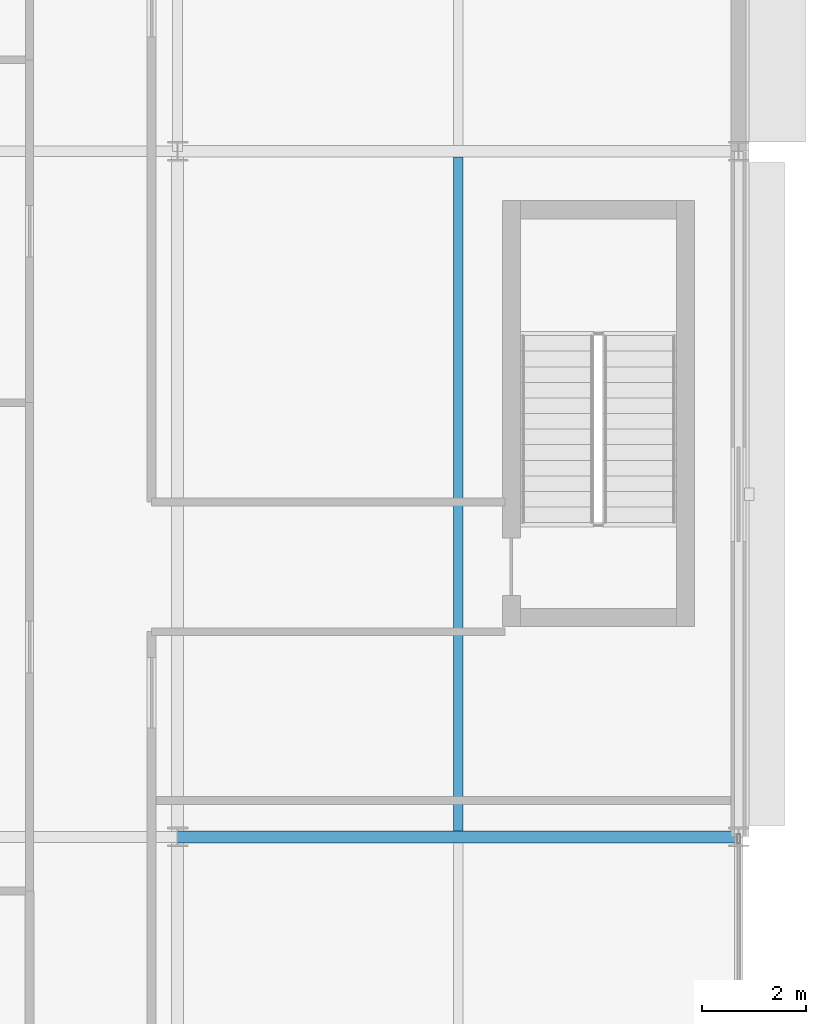
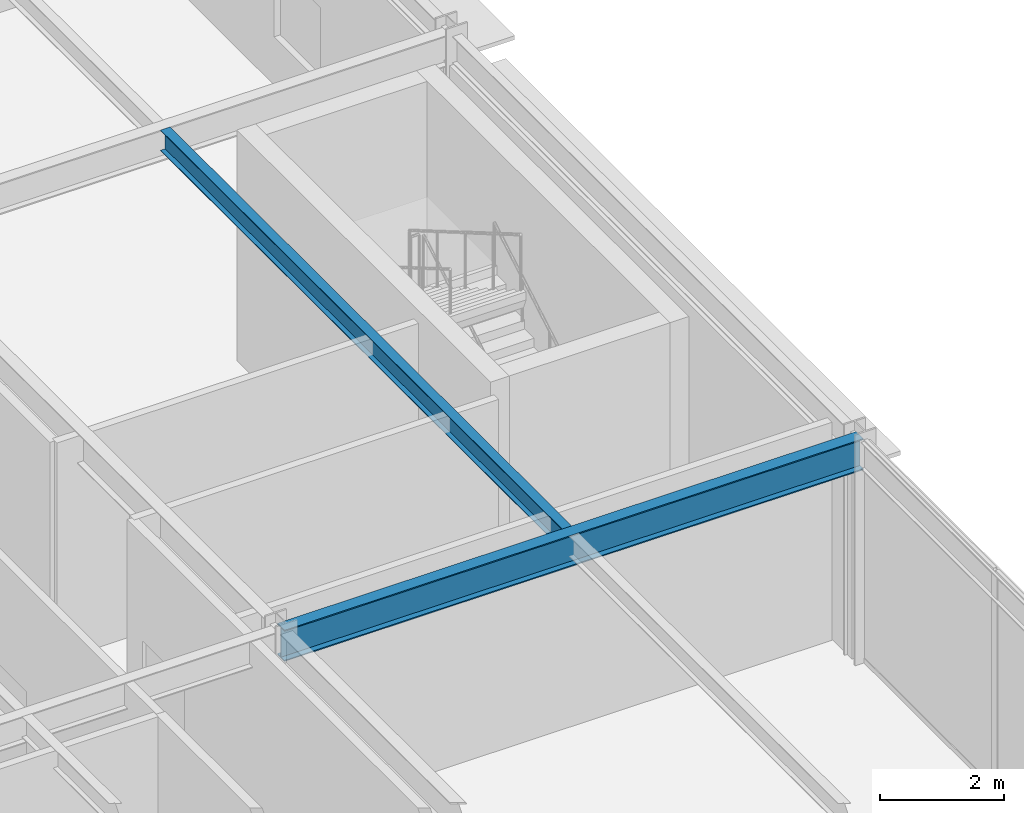
# One storey, part 93 of 133: 2 beams.
"""IFC4 building model written with IfcOpenShell, lengths in metres."""

import ifcopenshell
import ifcopenshell.guid

model = None  # the IFC model being written
_history = None  # IfcOwnerHistory: only IFC2X3 demands one
_inside = {}  # id of a spatial element -> (the spatial element, [elements in it])
_under = {}  # id of a project, library or spatial element -> (it, [spatial elements below it])
_declared = {}  # id of a project -> (the project, [libraries it declares])
_typed = {}  # id of a type object -> (the type object, [elements of that type])
_made_of = {}  # id of a material, layer set ... -> (it, [elements and type objects made of it])


def new_model(schema):
    """Start an empty IFC model of exactly this schema.

    Asked for "IFC4X3", IfcOpenShell would pick the latest addendum, in which some entities
    have other attributes; the version numbers below select the first issue.
    IFC2X3 requires an IfcOwnerHistory on every rooted entity: one is made here for all.
    """
    global model, _history
    if schema == "IFC4X3":
        model = ifcopenshell.file(schema_version=(4, 3, 0, 0))
    else:
        model = ifcopenshell.file(schema=schema)
    _inside.clear()
    _under.clear()
    _declared.clear()
    _typed.clear()
    _made_of.clear()
    _history = None
    if model.schema == "IFC2X3":
        org = make("IfcOrganization", Name="unknown")
        user = make(
            "IfcPersonAndOrganization",
            ThePerson=make("IfcPerson", FamilyName="unknown"),
            TheOrganization=org,
        )
        app = make(
            "IfcApplication",
            ApplicationDeveloper=org,
            Version="unknown",
            ApplicationFullName="unknown",
            ApplicationIdentifier="unknown",
        )
        _history = make(
            "IfcOwnerHistory",
            OwningUser=user,
            OwningApplication=app,
            ChangeAction="ADDED",
            CreationDate=0,
        )
    return model


def make(cls, **values):
    """One entity of the class cls with the attributes given. An attribute that is None is left unset."""
    return model.create_entity(
        cls, **{name: value for name, value in values.items() if value is not None}
    )


def rooted(cls, **values):
    """An entity with a GlobalId (a new one), such as an element, a storey or a relation."""
    return make(cls, GlobalId=ifcopenshell.guid.new(), OwnerHistory=_history, **values)


def si_unit(unit_type, name, prefix=None):
    """IfcSIUnit, for example si_unit("LENGTHUNIT", "METRE", prefix="MILLI")."""
    return make("IfcSIUnit", UnitType=unit_type, Prefix=prefix, Name=name)


def assignment(units):
    """IfcUnitAssignment: the units of a project."""
    return None if units is None else make("IfcUnitAssignment", Units=units)


def point(xyz):
    """IfcCartesianPoint."""
    return None if xyz is None else make("IfcCartesianPoint", Coordinates=xyz)


def direction(xyz):
    """IfcDirection."""
    return None if xyz is None else make("IfcDirection", DirectionRatios=xyz)


def frame(location, z_axis=None, x_axis=None):
    """IfcAxis2Placement3D, a coordinate frame: its origin and axes. An axis left out is left unset."""
    return make(
        "IfcAxis2Placement3D",
        Location=point(location),
        Axis=direction(z_axis),
        RefDirection=direction(x_axis),
    )


def frame_2d(location, x_axis=None):
    """IfcAxis2Placement2D, a coordinate frame in the plane: its origin and x axis."""
    return make(
        "IfcAxis2Placement2D", Location=point(location), RefDirection=direction(x_axis)
    )


def origin():
    """The frame at (0, 0, 0) with its axes left unset."""
    return frame((0.0, 0.0, 0.0))


def origin_2d():
    """The frame at (0, 0) in the plane with its x axis left unset."""
    return frame_2d((0.0, 0.0))


def place(relative_to, where):
    """IfcLocalPlacement: puts the frame where relative to a parent placement (None: the world)."""
    return make(
        "IfcLocalPlacement", PlacementRelTo=relative_to, RelativePlacement=where
    )


def context(
    kind, dimensions, precision=None, world=None, true_north=None, identifier=None
):
    """IfcGeometricRepresentationContext, for example the 3D "Model" context."""
    return make(
        "IfcGeometricRepresentationContext",
        ContextIdentifier=identifier,
        ContextType=kind,
        CoordinateSpaceDimension=dimensions,
        Precision=precision,
        WorldCoordinateSystem=world,
        TrueNorth=true_north,
    )


def subcontext(parent, identifier, kind, view, scale=None):
    """IfcGeometricRepresentationSubContext, for example "Body" below "Model"."""
    return make(
        "IfcGeometricRepresentationSubContext",
        ContextIdentifier=identifier,
        ContextType=kind,
        ParentContext=parent,
        TargetScale=scale,
        TargetView=view,
    )


def project(units=None, contexts=None):
    """IfcProject with its units and contexts."""
    return rooted(
        "IfcProject",
        Name="project",
        RepresentationContexts=contexts,
        UnitsInContext=assignment(units),
    )


def spatial(cls, under=None, at=None, **own):
    """A site, building, storey or space (cls), placed at a placement, below another one or the project."""
    s = rooted(cls, ObjectPlacement=at, **own)
    if under is not None:
        _under.setdefault(under.id(), (under, []))[1].append(s)
    return s


def profile(cls, at=None, kind="AREA", **sizes):
    """A parametric profile (cls). Its sizes go by their IFC names, for example OverallWidth=200.0."""
    return make(cls, ProfileType=kind, Position=at, **sizes)


def i_section(**sizes):
    """IfcIShapeProfileDef."""
    return profile("IfcIShapeProfileDef", **sizes)


def extrude(swept, where, along, depth):
    """IfcExtrudedAreaSolid: the profile swept, set in the frame where, extruded along a direction by depth."""
    return make(
        "IfcExtrudedAreaSolid",
        SweptArea=swept,
        Position=where,
        ExtrudedDirection=direction(along),
        Depth=depth,
    )


def shape(context_of_items, identifier, shape_type, items):
    """IfcShapeRepresentation: the items that make up one representation, for example the "Body"."""
    return make(
        "IfcShapeRepresentation",
        ContextOfItems=context_of_items,
        RepresentationIdentifier=identifier,
        RepresentationType=shape_type,
        Items=items,
    )


def material(Name=None, Category=None):
    """IfcMaterial."""
    return make("IfcMaterial", Name=Name, Category=Category)


def material_profile(
    of_material, cross_section, Name=None, Category=None, Priority=None
):
    """IfcMaterialProfile: a cross section and its material."""
    return make(
        "IfcMaterialProfile",
        Name=Name,
        Material=of_material,
        Profile=cross_section,
        Priority=Priority,
        Category=Category,
    )


def profile_set(profiles, Name=None, composite=None):
    """IfcMaterialProfileSet."""
    return make(
        "IfcMaterialProfileSet",
        Name=Name,
        MaterialProfiles=profiles,
        CompositeProfile=composite,
    )


def made_of(thing, what):
    """Note that an element or type object is made of a material, layer set ...; save() writes the relation."""
    if what is not None:
        _made_of.setdefault(what.id(), (what, []))[1].append(thing)
    return thing


def type_object(cls, material=None, **own):
    """A type object (cls), such as IfcWallType, which elements share."""
    return made_of(rooted(cls, **own), material)


def element(
    cls,
    number,
    at=None,
    inside=None,
    cuts=None,
    type_object=None,
    material=None,
    context=None,
    identifier="Body",
    shape_type=None,
    held_by="IfcProductDefinitionShape",
    body=None,
    shapes=None,
    **own,
):
    """One element of the class cls, such as IfcWall. Its Tag is "e" and its number.

    at: its placement. inside: the storey or other place that contains it. cuts: it is an
    opening in that element (IfcRelVoidsElement). A single representation is given by context,
    identifier, shape_type and body (its items); several are given by shapes. held_by: the class
    of the entity that holds the representations. save() writes the other relations.
    """
    e = rooted(cls, Tag="e%d" % number, ObjectPlacement=at, **own)
    if body is not None:
        shapes = [shape(context, identifier, shape_type, body)]
    if shapes is not None:
        e.Representation = make(held_by, Representations=shapes)
    if inside is not None:
        _inside.setdefault(inside.id(), (inside, []))[1].append(e)
    if cuts is not None:
        rooted(
            "IfcRelVoidsElement", RelatingBuildingElement=cuts, RelatedOpeningElement=e
        )
    if type_object is not None:
        _typed.setdefault(type_object.id(), (type_object, []))[1].append(e)
    return made_of(e, material)


def aggregate(whole, parts):
    """IfcRelAggregates: a whole, such as a stair, and the parts it consists of."""
    return rooted("IfcRelAggregates", RelatingObject=whole, RelatedObjects=parts)


def save(model, path):
    """Write the relations noted so far, then the file.

    IfcRelAggregates (storeys below a building ...), IfcRelContainedInSpatialStructure (elements
    in a storey), IfcRelDefinesByType, IfcRelAssociatesMaterial and IfcRelDeclares: one each for
    every whole, place, type object, material and project.
    """
    for whole, parts in _under.values():
        aggregate(whole, parts)
    for where, things in _inside.values():
        rooted(
            "IfcRelContainedInSpatialStructure",
            RelatedElements=things,
            RelatingStructure=where,
        )
    for kind, things in _typed.values():
        rooted("IfcRelDefinesByType", RelatedObjects=things, RelatingType=kind)
    for what, things in _made_of.values():
        rooted("IfcRelAssociatesMaterial", RelatedObjects=things, RelatingMaterial=what)
    for by, libraries in _declared.values():
        rooted("IfcRelDeclares", RelatingContext=by, RelatedDefinitions=libraries)
    model.write(path)


model = new_model("IFC4")

# Units and contexts
model_context = context("Model", 3, precision=1e-05, world=origin(), true_north=direction((0.0, 1.0)))
body_context = subcontext(model_context, "Body", "Model", "MODEL_VIEW")
ifc_project = project(units=[si_unit("LENGTHUNIT", "METRE"), si_unit("AREAUNIT", "SQUARE_METRE"), si_unit("VOLUMEUNIT", "CUBIC_METRE"), si_unit("PLANEANGLEUNIT", "RADIAN"), si_unit("MASSUNIT", "GRAM", prefix="KILO")], contexts=[model_context])

# Site, building, storey
site_placement = place(None, origin())
site = spatial("IfcSite", under=ifc_project, at=site_placement, CompositionType="ELEMENT")
building_placement = place(site_placement, origin())
building = spatial("IfcBuilding", under=site, at=building_placement, Name="Almandine Court Research Institute", CompositionType="ELEMENT")
storey_placement = place(building_placement, frame((0.0, 0.0, 9.800048828125)))
storey = spatial("IfcBuildingStorey", under=building, at=storey_placement, Name="L02", CompositionType="ELEMENT", Elevation=9.800048828125)

# Beams
ifc_material = material(Name="Steel ASTM A992 Grade 50", Category="steel")
ifc_material_profile_1 = material_profile(ifc_material, i_section(OverallWidth=0.178955078125, OverallDepth=0.409912109375, WebThickness=0.009033203125, FlangeThickness=0.013916015625, at=origin_2d()), Name="W410x67")
ifc_profile_set_1 = profile_set([ifc_material_profile_1], Name="Steel ASTM A992 Grade 50")
beam_type_1 = type_object("IfcBeamType", Name="Beam-B-02", PredefinedType="JOIST", material=ifc_profile_set_1)
beam_1_placement = place(storey_placement, frame((168.60009765625, 70.9130859375, 4.1650390625), z_axis=(0.0, 1.0, 0.0), x_axis=(-1.0, 0.0, 0.0)))
element("IfcBeam", 1, at=beam_1_placement, inside=storey, type_object=beam_type_1, Name="L02 V4 Composite Secondary Beam", PredefinedType="JOIST", context=body_context, shape_type="SweptSolid", body=[
    extrude(i_section(OverallWidth=0.178955078125, OverallDepth=0.409912109375, WebThickness=0.009033203125, FlangeThickness=0.013916015625, at=origin_2d()), origin(), (0.0, 0.0, 1.0), 12.973876953125),
])
ifc_material_profile_2 = material_profile(ifc_material, i_section(OverallWidth=0.22998046875, OverallDepth=0.616943359375, WebThickness=0.012939453125, FlangeThickness=0.02197265625, at=origin_2d()), Name="W610x140")
ifc_profile_set_2 = profile_set([ifc_material_profile_2], Name="Steel ASTM A992 Grade 50")
beam_type_2 = type_object("IfcBeamType", Name="Beam-G-02", PredefinedType="BEAM", material=ifc_profile_set_2)
beam_2_placement = place(storey_placement, frame((163.199951171875, 70.800048828125, 4.06103515625), z_axis=(1.0, 0.0, 0.0), x_axis=(0.0, 1.0, 0.0)))
element("IfcBeam", 2, at=beam_2_placement, inside=storey, type_object=beam_type_2, Name="L02 V4 Primary X Girder", PredefinedType="BEAM", context=body_context, shape_type="SweptSolid", body=[
    extrude(i_section(OverallWidth=0.22998046875, OverallDepth=0.616943359375, WebThickness=0.012939453125, FlangeThickness=0.02197265625, at=origin_2d()), origin(), (0.0, 0.0, 1.0), 10.800048828125),
])

save(model, "model.ifc")
